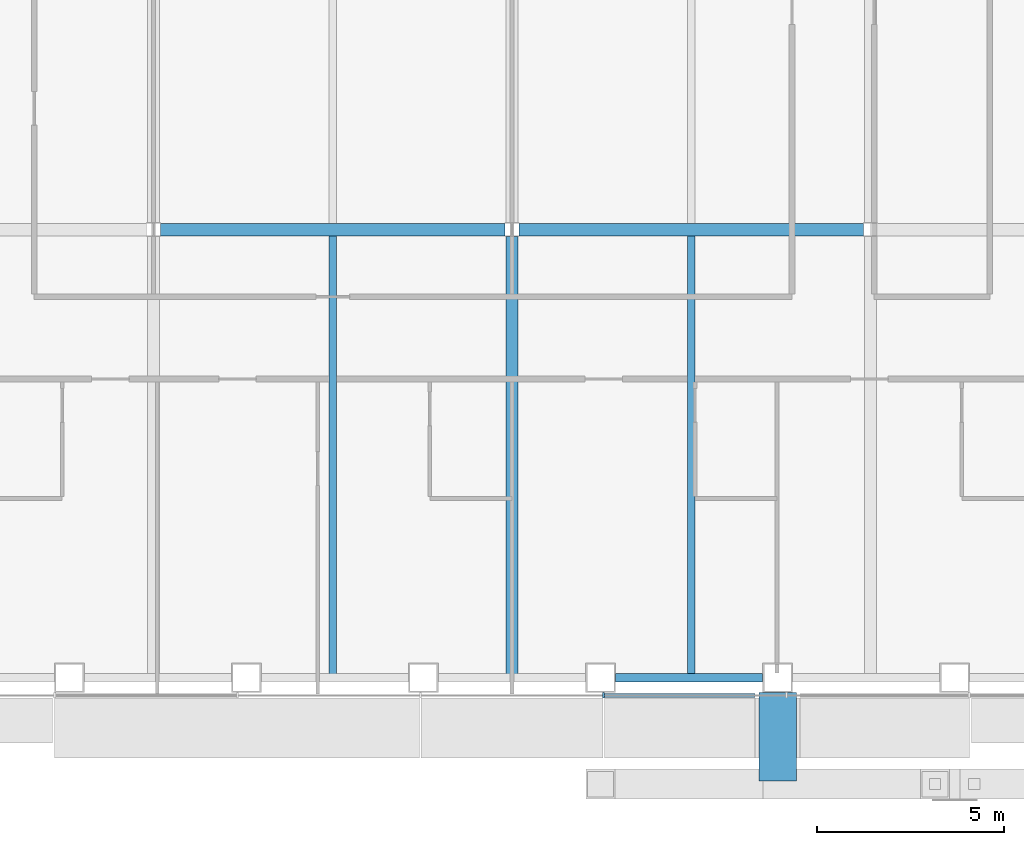
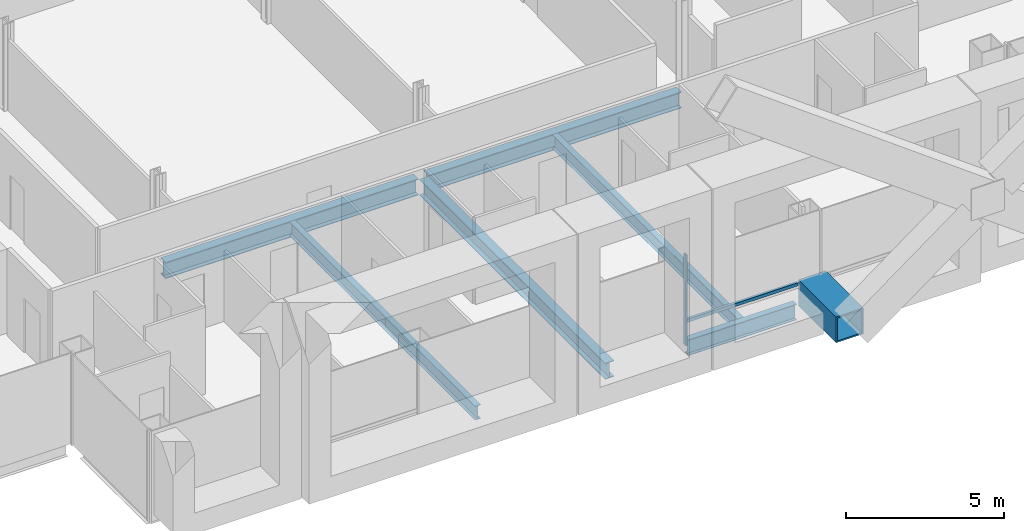
# One storey, part 4 of 22: 7 beams, 2 members, 1 element without a shape of its own.
"""IFC4 building model written with IfcOpenShell, lengths in metres."""

from ifc_helpers import new_model, si_unit, direction, frame, origin, origin_2d, place, context, subcontext, project, spatial, rectangle, hollow_rectangle, i_section, extrude, material, material_profile, profile_set, type_object, element, aggregate, save


model = new_model("IFC4")

# Units and contexts
model_context = context("Model", 3, precision=1e-05, world=origin(), true_north=direction((0.0, 1.0)))
body_context = subcontext(model_context, "Body", "Model", "MODEL_VIEW")
ifc_project = project(units=[si_unit("LENGTHUNIT", "METRE"), si_unit("AREAUNIT", "SQUARE_METRE"), si_unit("VOLUMEUNIT", "CUBIC_METRE"), si_unit("PLANEANGLEUNIT", "RADIAN"), si_unit("MASSUNIT", "GRAM", prefix="KILO")], contexts=[model_context])

# Site, building, storey
site_placement = place(None, origin())
site = spatial("IfcSite", under=ifc_project, at=site_placement, CompositionType="ELEMENT")
building_placement = place(site_placement, origin())
building = spatial("IfcBuilding", under=site, at=building_placement, Name="Cobrizo Arcos Hotel Tower", CompositionType="ELEMENT")
storey_placement = place(building_placement, frame((0.0, 0.0, 176.0)))
storey = spatial("IfcBuildingStorey", under=building, at=storey_placement, Name="L45", CompositionType="ELEMENT", Elevation=176.0)

# Beam
ifc_material_1 = material(Name="Steel ASTM A572 Grade 50", Category="steel")
ifc_material_profile_1 = material_profile(ifc_material_1, hollow_rectangle(XDim=1.0, YDim=1.0, WallThickness=0.06005859375, at=origin_2d()), Name="BOX 1000X1000X60")
ifc_profile_set_1 = profile_set([ifc_material_profile_1], Name="Steel ASTM A572 Grade 50")
beam_type_1 = type_object("IfcBeamType", Name="BOX 1000X1000X60 brace connector strut", PredefinedType="BEAM", material=ifc_profile_set_1)
beam_1_placement = place(storey_placement, frame((7.1142578125, -21.989990234375, 0.5), z_axis=(0.0, -1.0, 0.0), x_axis=(1.0, 0.0, 0.0)))
element("IfcBeam", 1, at=beam_1_placement, inside=storey, type_object=beam_type_1, Name="Perimeter brace stub BS1, zone Z3, south face, offset +7.11 m, L45", PredefinedType="BEAM", context=body_context, shape_type="SweptSolid", body=[
    extrude(hollow_rectangle(XDim=1.0, YDim=1.0, WallThickness=0.06005859375, at=origin_2d()), origin(), (0.0, 0.0, 1.0), 2.380126953125),
])

# Curtain wall, members
ifc_material_2 = material(Name="Aluminium 6063-T6 anodised bronze", Category="aluminium")
curtain_wall_type = type_object("IfcCurtainWallType", Name="CW-A guest facade", PredefinedType="NOTDEFINED", material=ifc_material_2)
curtain_wall_placement = place(storey_placement, origin())
curtain_wall = element("IfcCurtainWall", 2, at=curtain_wall_placement, inside=storey, type_object=curtain_wall_type, Name="CW-A L45 S face", PredefinedType="NOTDEFINED")
ifc_material_profile_2 = material_profile(ifc_material_2, rectangle(XDim=0.14990234375, YDim=0.06005859375, at=origin_2d()), Name="CW-A mullion 150x60")
ifc_profile_set_2 = profile_set([ifc_material_profile_2], Name="Aluminium 6063-T6 anodised bronze")
member_type_1 = type_object("IfcMemberType", Name="CW-A mullion 150x60", PredefinedType="MULLION", material=ifc_profile_set_2)
member_1_placement = place(storey_placement, frame((2.449951171875, -22.074951171875, 0.0), z_axis=(0.0, 0.0, 1.0), x_axis=(0.0, -1.0, 0.0)))
member_1 = element("IfcMember", 3, at=member_1_placement, type_object=member_type_1, Name="CW-A mullion 5", PredefinedType="MULLION", context=body_context, shape_type="SweptSolid", body=[
    extrude(rectangle(XDim=0.14990234375, YDim=0.06005859375, at=origin_2d()), origin(), (0.0, 0.0, 1.0), 3.5),
])
ifc_material_profile_3 = material_profile(ifc_material_2, rectangle(XDim=0.10009765625, YDim=0.1201171875, at=origin_2d()), Name="CW-A transom 120x100")
ifc_profile_set_3 = profile_set([ifc_material_profile_3], Name="Aluminium 6063-T6 anodised bronze")
member_type_2 = type_object("IfcMemberType", Name="CW-A transom 120x100", PredefinedType="USERDEFINED", material=ifc_profile_set_3)
member_2_placement = place(storey_placement, frame((2.47998046875, -22.074951171875, 0.929931640625), z_axis=(1.0, 0.0, 0.0), x_axis=(0.0, 1.0, 0.0)))
member_2 = element("IfcMember", 4, at=member_2_placement, type_object=member_type_2, Name="CW-A transom 1580", ObjectType="TRANSOM", PredefinedType="USERDEFINED", context=body_context, shape_type="SweptSolid", body=[
    extrude(rectangle(XDim=0.10009765625, YDim=0.1201171875, at=origin_2d()), origin(), (0.0, 0.0, 1.0), 4.034423828125),
])
aggregate(curtain_wall, [member_1, member_2])

# Beams
ifc_material_3 = material(Name="Steel ASTM A992 Grade 50", Category="steel")
ifc_material_profile_4 = material_profile(ifc_material_3, i_section(OverallWidth=0.209228515625, OverallDepth=0.533447265625, WebThickness=0.01025390625, FlangeThickness=0.015625, at=origin_2d()), Name="W21X62")
ifc_profile_set_4 = profile_set([ifc_material_profile_4], Name="Steel ASTM A992 Grade 50")
beam_type_2 = type_object("IfcBeamType", Name="W21X62 joist", PredefinedType="JOIST", material=ifc_profile_set_4)
for number, where, z_axis, x_axis, name in (
    (5, (-4.800048828125, -21.510009765625, -0.416748046875), (0.0, 1.0, 0.0), (-1.0, 0.0, 0.0), "Floor joist J1, L45, no. 007"),
    (6, (4.800048828125, -21.510009765625, -0.416748046875), (0.0, 1.0, 0.0), (-1.0, 0.0, 0.0), "Floor joist J1, L45, no. 011"),
):
    element("IfcBeam", number, at=place(storey_placement, frame(where, z_axis=z_axis, x_axis=x_axis)), inside=storey, type_object=beam_type_2, Name=name, PredefinedType="JOIST", context=body_context, shape_type="SweptSolid", body=[
        extrude(i_section(OverallWidth=0.209228515625, OverallDepth=0.533447265625, WebThickness=0.01025390625, FlangeThickness=0.015625, at=origin_2d()), origin(), (0.0, 0.0, 1.0), 11.74609375),
    ])
ifc_material_profile_5 = material_profile(ifc_material_3, i_section(OverallWidth=0.32763671875, OverallDepth=0.622314453125, WebThickness=0.015380859375, FlangeThickness=0.0244140625, at=origin_2d()), Name="W24X131")
ifc_profile_set_5 = profile_set([ifc_material_profile_5], Name="Steel ASTM A992 Grade 50")
beam_type_3 = type_object("IfcBeamType", Name="W24X131 girder", PredefinedType="BEAM", material=ifc_profile_set_5)
for number, where, z_axis, x_axis, name in (
    (7, (-9.413330078125, -9.60009765625, -0.461181640625), (1.0, 0.0, 0.0), (0.0, 1.0, 0.0), "Floor girder G1, L45, no. 002"),
    (8, (0.186767578125, -9.60009765625, -0.461181640625), (1.0, 0.0, 0.0), (0.0, 1.0, 0.0), "Floor girder G1, L45, no. 003"),
):
    element("IfcBeam", number, at=place(storey_placement, frame(where, z_axis=z_axis, x_axis=x_axis)), inside=storey, type_object=beam_type_3, Name=name, PredefinedType="BEAM", context=body_context, shape_type="SweptSolid", body=[
        extrude(i_section(OverallWidth=0.32763671875, OverallDepth=0.622314453125, WebThickness=0.015380859375, FlangeThickness=0.0244140625, at=origin_2d()), origin(), (0.0, 0.0, 1.0), 9.2265625),
    ])
beam_2_placement = place(storey_placement, frame((0.0, -21.510009765625, -0.461181640625), z_axis=(0.0, 1.0, 0.0), x_axis=(-1.0, 0.0, 0.0)))
element("IfcBeam", 9, at=beam_2_placement, inside=storey, type_object=beam_type_3, Name="Floor girder G1, L45, no. 017", PredefinedType="BEAM", context=body_context, shape_type="SweptSolid", body=[
    extrude(i_section(OverallWidth=0.32763671875, OverallDepth=0.622314453125, WebThickness=0.015380859375, FlangeThickness=0.0244140625, at=origin_2d()), origin(), (0.0, 0.0, 1.0), 11.723388671875),
])
ifc_material_profile_6 = material_profile(ifc_material_3, i_section(OverallWidth=0.228271484375, OverallDepth=0.607177734375, WebThickness=0.01123046875, FlangeThickness=0.017333984375, at=origin_2d()), Name="W24X76")
ifc_profile_set_6 = profile_set([ifc_material_profile_6], Name="Steel ASTM A992 Grade 50")
beam_type_4 = type_object("IfcBeamType", Name="W24X76 spandrel", PredefinedType="SPANDREL", material=ifc_profile_set_6)
beam_3_placement = place(storey_placement, frame((2.77099609375, -21.60009765625, -0.45361328125), z_axis=(1.0, 0.0, 0.0), x_axis=(0.0, 1.0, 0.0)))
element("IfcBeam", 10, at=beam_3_placement, inside=storey, type_object=beam_type_4, Name="Spandrel beam W24X76, L45, no. 005", PredefinedType="SPANDREL", context=body_context, shape_type="SweptSolid", body=[
    extrude(i_section(OverallWidth=0.228271484375, OverallDepth=0.607177734375, WebThickness=0.01123046875, FlangeThickness=0.017333984375, at=origin_2d()), origin(), (0.0, 0.0, 1.0), 3.943115234375),
])

save(model, "model.ifc")
